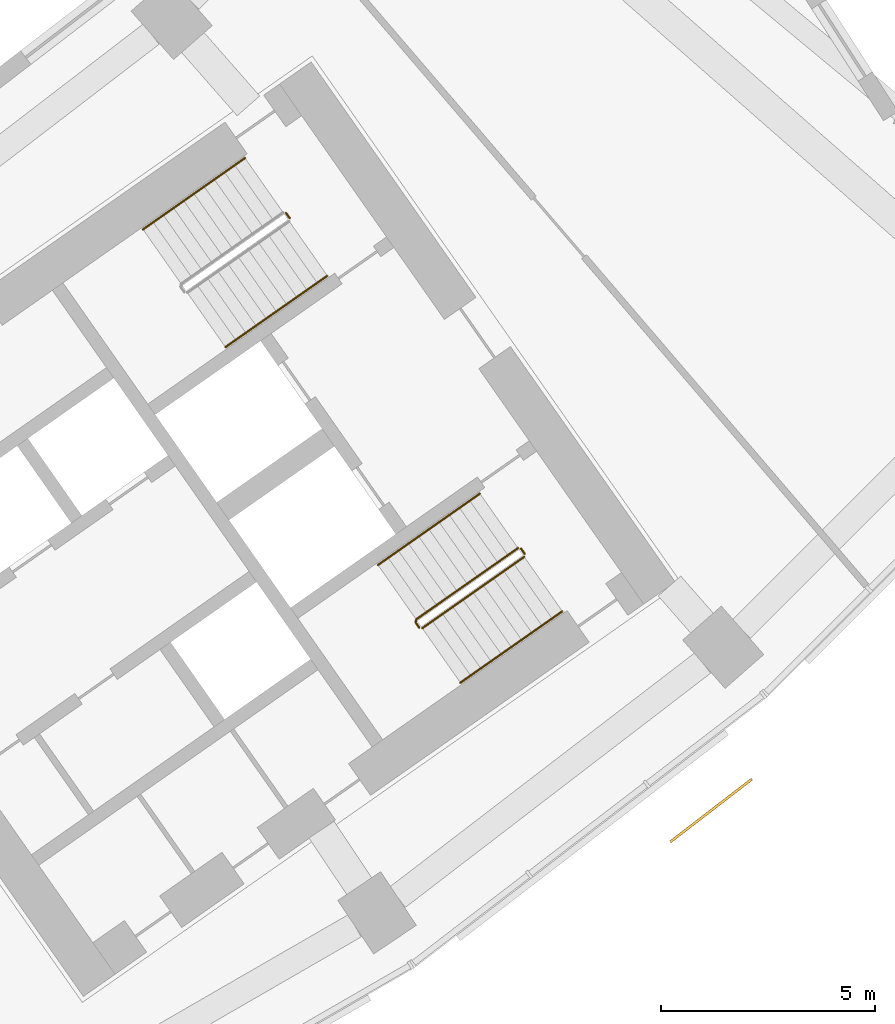
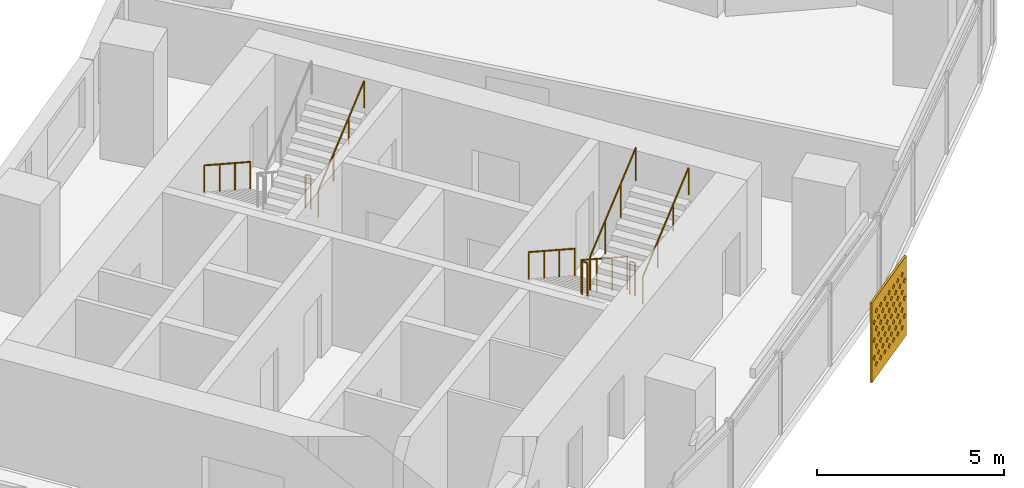
# One storey, part 29 of 29: 8 railings, 1 shading device.
"""IFC4 building model written with IfcOpenShell, lengths in metres."""

import ifcopenshell
import ifcopenshell.guid

model = None  # the IFC model being written
_history = None  # IfcOwnerHistory: only IFC2X3 demands one
_inside = {}  # id of a spatial element -> (the spatial element, [elements in it])
_under = {}  # id of a project, library or spatial element -> (it, [spatial elements below it])
_declared = {}  # id of a project -> (the project, [libraries it declares])
_typed = {}  # id of a type object -> (the type object, [elements of that type])
_made_of = {}  # id of a material, layer set ... -> (it, [elements and type objects made of it])


def new_model(schema):
    """Start an empty IFC model of exactly this schema.

    Asked for "IFC4X3", IfcOpenShell would pick the latest addendum, in which some entities
    have other attributes; the version numbers below select the first issue.
    IFC2X3 requires an IfcOwnerHistory on every rooted entity: one is made here for all.
    """
    global model, _history
    if schema == "IFC4X3":
        model = ifcopenshell.file(schema_version=(4, 3, 0, 0))
    else:
        model = ifcopenshell.file(schema=schema)
    _inside.clear()
    _under.clear()
    _declared.clear()
    _typed.clear()
    _made_of.clear()
    _history = None
    if model.schema == "IFC2X3":
        org = make("IfcOrganization", Name="unknown")
        user = make(
            "IfcPersonAndOrganization",
            ThePerson=make("IfcPerson", FamilyName="unknown"),
            TheOrganization=org,
        )
        app = make(
            "IfcApplication",
            ApplicationDeveloper=org,
            Version="unknown",
            ApplicationFullName="unknown",
            ApplicationIdentifier="unknown",
        )
        _history = make(
            "IfcOwnerHistory",
            OwningUser=user,
            OwningApplication=app,
            ChangeAction="ADDED",
            CreationDate=0,
        )
    return model


def make(cls, **values):
    """One entity of the class cls with the attributes given. An attribute that is None is left unset."""
    return model.create_entity(
        cls, **{name: value for name, value in values.items() if value is not None}
    )


def rooted(cls, **values):
    """An entity with a GlobalId (a new one), such as an element, a storey or a relation."""
    return make(cls, GlobalId=ifcopenshell.guid.new(), OwnerHistory=_history, **values)


def si_unit(unit_type, name, prefix=None):
    """IfcSIUnit, for example si_unit("LENGTHUNIT", "METRE", prefix="MILLI")."""
    return make("IfcSIUnit", UnitType=unit_type, Prefix=prefix, Name=name)


def assignment(units):
    """IfcUnitAssignment: the units of a project."""
    return None if units is None else make("IfcUnitAssignment", Units=units)


def point(xyz):
    """IfcCartesianPoint."""
    return None if xyz is None else make("IfcCartesianPoint", Coordinates=xyz)


def direction(xyz):
    """IfcDirection."""
    return None if xyz is None else make("IfcDirection", DirectionRatios=xyz)


def frame(location, z_axis=None, x_axis=None):
    """IfcAxis2Placement3D, a coordinate frame: its origin and axes. An axis left out is left unset."""
    return make(
        "IfcAxis2Placement3D",
        Location=point(location),
        Axis=direction(z_axis),
        RefDirection=direction(x_axis),
    )


def frame_2d(location, x_axis=None):
    """IfcAxis2Placement2D, a coordinate frame in the plane: its origin and x axis."""
    return make(
        "IfcAxis2Placement2D", Location=point(location), RefDirection=direction(x_axis)
    )


def origin():
    """The frame at (0, 0, 0) with its axes left unset."""
    return frame((0.0, 0.0, 0.0))


def origin_2d():
    """The frame at (0, 0) in the plane with its x axis left unset."""
    return frame_2d((0.0, 0.0))


def place(relative_to, where):
    """IfcLocalPlacement: puts the frame where relative to a parent placement (None: the world)."""
    return make(
        "IfcLocalPlacement", PlacementRelTo=relative_to, RelativePlacement=where
    )


def context(
    kind, dimensions, precision=None, world=None, true_north=None, identifier=None
):
    """IfcGeometricRepresentationContext, for example the 3D "Model" context."""
    return make(
        "IfcGeometricRepresentationContext",
        ContextIdentifier=identifier,
        ContextType=kind,
        CoordinateSpaceDimension=dimensions,
        Precision=precision,
        WorldCoordinateSystem=world,
        TrueNorth=true_north,
    )


def subcontext(parent, identifier, kind, view, scale=None):
    """IfcGeometricRepresentationSubContext, for example "Body" below "Model"."""
    return make(
        "IfcGeometricRepresentationSubContext",
        ContextIdentifier=identifier,
        ContextType=kind,
        ParentContext=parent,
        TargetScale=scale,
        TargetView=view,
    )


def project(units=None, contexts=None):
    """IfcProject with its units and contexts."""
    return rooted(
        "IfcProject",
        Name="project",
        RepresentationContexts=contexts,
        UnitsInContext=assignment(units),
    )


def spatial(cls, under=None, at=None, **own):
    """A site, building, storey or space (cls), placed at a placement, below another one or the project."""
    s = rooted(cls, ObjectPlacement=at, **own)
    if under is not None:
        _under.setdefault(under.id(), (under, []))[1].append(s)
    return s


def polyline(points):
    """IfcPolyline through the points."""
    return make("IfcPolyline", Points=[point(p) for p in points])


def profile(cls, at=None, kind="AREA", **sizes):
    """A parametric profile (cls). Its sizes go by their IFC names, for example OverallWidth=200.0."""
    return make(cls, ProfileType=kind, Position=at, **sizes)


def circle(**sizes):
    """IfcCircleProfileDef."""
    return profile("IfcCircleProfileDef", **sizes)


def outline(outer, holes=None, kind="AREA"):
    """IfcArbitraryClosedProfileDef: a profile drawn as a closed curve; with holes, ...WithVoids."""
    if holes is None:
        return make("IfcArbitraryClosedProfileDef", ProfileType=kind, OuterCurve=outer)
    return make(
        "IfcArbitraryProfileDefWithVoids",
        ProfileType=kind,
        OuterCurve=outer,
        InnerCurves=holes,
    )


def extrude(swept, where, along, depth):
    """IfcExtrudedAreaSolid: the profile swept, set in the frame where, extruded along a direction by depth."""
    return make(
        "IfcExtrudedAreaSolid",
        SweptArea=swept,
        Position=where,
        ExtrudedDirection=direction(along),
        Depth=depth,
    )


def shape(context_of_items, identifier, shape_type, items):
    """IfcShapeRepresentation: the items that make up one representation, for example the "Body"."""
    return make(
        "IfcShapeRepresentation",
        ContextOfItems=context_of_items,
        RepresentationIdentifier=identifier,
        RepresentationType=shape_type,
        Items=items,
    )


def material(Name=None, Category=None):
    """IfcMaterial."""
    return make("IfcMaterial", Name=Name, Category=Category)


def material_profile(
    of_material, cross_section, Name=None, Category=None, Priority=None
):
    """IfcMaterialProfile: a cross section and its material."""
    return make(
        "IfcMaterialProfile",
        Name=Name,
        Material=of_material,
        Profile=cross_section,
        Priority=Priority,
        Category=Category,
    )


def profile_set(profiles, Name=None, composite=None):
    """IfcMaterialProfileSet."""
    return make(
        "IfcMaterialProfileSet",
        Name=Name,
        MaterialProfiles=profiles,
        CompositeProfile=composite,
    )


def made_of(thing, what):
    """Note that an element or type object is made of a material, layer set ...; save() writes the relation."""
    if what is not None:
        _made_of.setdefault(what.id(), (what, []))[1].append(thing)
    return thing


def type_object(cls, material=None, **own):
    """A type object (cls), such as IfcWallType, which elements share."""
    return made_of(rooted(cls, **own), material)


def element(
    cls,
    number,
    at=None,
    inside=None,
    cuts=None,
    type_object=None,
    material=None,
    context=None,
    identifier="Body",
    shape_type=None,
    held_by="IfcProductDefinitionShape",
    body=None,
    shapes=None,
    **own,
):
    """One element of the class cls, such as IfcWall. Its Tag is "e" and its number.

    at: its placement. inside: the storey or other place that contains it. cuts: it is an
    opening in that element (IfcRelVoidsElement). A single representation is given by context,
    identifier, shape_type and body (its items); several are given by shapes. held_by: the class
    of the entity that holds the representations. save() writes the other relations.
    """
    e = rooted(cls, Tag="e%d" % number, ObjectPlacement=at, **own)
    if body is not None:
        shapes = [shape(context, identifier, shape_type, body)]
    if shapes is not None:
        e.Representation = make(held_by, Representations=shapes)
    if inside is not None:
        _inside.setdefault(inside.id(), (inside, []))[1].append(e)
    if cuts is not None:
        rooted(
            "IfcRelVoidsElement", RelatingBuildingElement=cuts, RelatedOpeningElement=e
        )
    if type_object is not None:
        _typed.setdefault(type_object.id(), (type_object, []))[1].append(e)
    return made_of(e, material)


def aggregate(whole, parts):
    """IfcRelAggregates: a whole, such as a stair, and the parts it consists of."""
    return rooted("IfcRelAggregates", RelatingObject=whole, RelatedObjects=parts)


def save(model, path):
    """Write the relations noted so far, then the file.

    IfcRelAggregates (storeys below a building ...), IfcRelContainedInSpatialStructure (elements
    in a storey), IfcRelDefinesByType, IfcRelAssociatesMaterial and IfcRelDeclares: one each for
    every whole, place, type object, material and project.
    """
    for whole, parts in _under.values():
        aggregate(whole, parts)
    for where, things in _inside.values():
        rooted(
            "IfcRelContainedInSpatialStructure",
            RelatedElements=things,
            RelatingStructure=where,
        )
    for kind, things in _typed.values():
        rooted("IfcRelDefinesByType", RelatedObjects=things, RelatingType=kind)
    for what, things in _made_of.values():
        rooted("IfcRelAssociatesMaterial", RelatedObjects=things, RelatingMaterial=what)
    for by, libraries in _declared.values():
        rooted("IfcRelDeclares", RelatingContext=by, RelatedDefinitions=libraries)
    model.write(path)


model = new_model("IFC4")

# Units and contexts
model_context = context("Model", 3, precision=1e-05, world=origin(), true_north=direction((0.0, 1.0)))
body_context = subcontext(model_context, "Body", "Model", "MODEL_VIEW")
ifc_project = project(units=[si_unit("LENGTHUNIT", "METRE"), si_unit("AREAUNIT", "SQUARE_METRE"), si_unit("VOLUMEUNIT", "CUBIC_METRE"), si_unit("PLANEANGLEUNIT", "RADIAN"), si_unit("MASSUNIT", "GRAM", prefix="KILO")], contexts=[model_context])

# Site, building, storey
site_placement = place(None, origin())
site = spatial("IfcSite", under=ifc_project, at=site_placement, CompositionType="ELEMENT")
building_placement = place(site_placement, origin())
building = spatial("IfcBuilding", under=site, at=building_placement, Name="Qamariyya Broadcast Tower", CompositionType="ELEMENT")
storey_placement = place(building_placement, frame((0.0, 0.0, 106.300048828125)))
storey = spatial("IfcBuildingStorey", under=building, at=storey_placement, Name="L23", CompositionType="ELEMENT", Elevation=106.300048828125)

# Shading device
ifc_material_1 = material(Name="Perforated glazed terracotta", Category="masonry")
ifc_material_profile = material_profile(ifc_material_1, outline(polyline([(-1.199951171875, -1.300048828125), (1.199951171875, -1.300048828125), (1.199951171875, 1.300048828125), (-1.199951171875, 1.300048828125), (-1.199951171875, -1.300048828125)]), holes=[polyline([(-0.81494140625, -0.86669921875), (-0.89990234375, -0.78173828125), (-0.985107421875, -0.86669921875), (-0.89990234375, -0.95166015625), (-0.81494140625, -0.86669921875)]), polyline([(-0.514892578125, -0.86669921875), (-0.60009765625, -0.78173828125), (-0.68505859375, -0.86669921875), (-0.60009765625, -0.95166015625), (-0.514892578125, -0.86669921875)]), polyline([(-0.215087890625, -0.86669921875), (-0.300048828125, -0.78173828125), (-0.385009765625, -0.86669921875), (-0.300048828125, -0.95166015625), (-0.215087890625, -0.86669921875)]), polyline([(0.0849609375, -0.86669921875), (0.0, -0.78173828125), (-0.0849609375, -0.86669921875), (0.0, -0.95166015625), (0.0849609375, -0.86669921875)]), polyline([(0.385009765625, -0.86669921875), (0.300048828125, -0.78173828125), (0.215087890625, -0.86669921875), (0.300048828125, -0.95166015625), (0.385009765625, -0.86669921875)]), polyline([(0.68505859375, -0.86669921875), (0.60009765625, -0.78173828125), (0.514892578125, -0.86669921875), (0.60009765625, -0.95166015625), (0.68505859375, -0.86669921875)]), polyline([(0.985107421875, -0.86669921875), (0.89990234375, -0.78173828125), (0.81494140625, -0.86669921875), (0.89990234375, -0.95166015625), (0.985107421875, -0.86669921875)]), polyline([(-0.965087890625, -0.577880859375), (-1.050048828125, -0.49267578125), (-1.135009765625, -0.577880859375), (-1.050048828125, -0.662841796875), (-0.965087890625, -0.577880859375)]), polyline([(-0.6650390625, -0.577880859375), (-0.75, -0.49267578125), (-0.8349609375, -0.577880859375), (-0.75, -0.662841796875), (-0.6650390625, -0.577880859375)]), polyline([(-0.364990234375, -0.577880859375), (-0.449951171875, -0.49267578125), (-0.534912109375, -0.577880859375), (-0.449951171875, -0.662841796875), (-0.364990234375, -0.577880859375)]), polyline([(-0.06494140625, -0.577880859375), (-0.14990234375, -0.49267578125), (-0.235107421875, -0.577880859375), (-0.14990234375, -0.662841796875), (-0.06494140625, -0.577880859375)]), polyline([(0.235107421875, -0.577880859375), (0.14990234375, -0.49267578125), (0.06494140625, -0.577880859375), (0.14990234375, -0.662841796875), (0.235107421875, -0.577880859375)]), polyline([(0.534912109375, -0.577880859375), (0.449951171875, -0.49267578125), (0.364990234375, -0.577880859375), (0.449951171875, -0.662841796875), (0.534912109375, -0.577880859375)]), polyline([(0.8349609375, -0.577880859375), (0.75, -0.49267578125), (0.6650390625, -0.577880859375), (0.75, -0.662841796875), (0.8349609375, -0.577880859375)]), polyline([(1.135009765625, -0.577880859375), (1.050048828125, -0.49267578125), (0.965087890625, -0.577880859375), (1.050048828125, -0.662841796875), (1.135009765625, -0.577880859375)]), polyline([(-0.81494140625, -0.288818359375), (-0.89990234375, -0.203857421875), (-0.985107421875, -0.288818359375), (-0.89990234375, -0.373779296875), (-0.81494140625, -0.288818359375)]), polyline([(-0.514892578125, -0.288818359375), (-0.60009765625, -0.203857421875), (-0.68505859375, -0.288818359375), (-0.60009765625, -0.373779296875), (-0.514892578125, -0.288818359375)]), polyline([(-0.215087890625, -0.288818359375), (-0.300048828125, -0.203857421875), (-0.385009765625, -0.288818359375), (-0.300048828125, -0.373779296875), (-0.215087890625, -0.288818359375)]), polyline([(0.0849609375, -0.288818359375), (0.0, -0.203857421875), (-0.0849609375, -0.288818359375), (0.0, -0.373779296875), (0.0849609375, -0.288818359375)]), polyline([(0.385009765625, -0.288818359375), (0.300048828125, -0.203857421875), (0.215087890625, -0.288818359375), (0.300048828125, -0.373779296875), (0.385009765625, -0.288818359375)]), polyline([(0.68505859375, -0.288818359375), (0.60009765625, -0.203857421875), (0.514892578125, -0.288818359375), (0.60009765625, -0.373779296875), (0.68505859375, -0.288818359375)]), polyline([(0.985107421875, -0.288818359375), (0.89990234375, -0.203857421875), (0.81494140625, -0.288818359375), (0.89990234375, -0.373779296875), (0.985107421875, -0.288818359375)]), polyline([(-0.965087890625, 0.0), (-1.050048828125, 0.0849609375), (-1.135009765625, 0.0), (-1.050048828125, -0.0849609375), (-0.965087890625, 0.0)]), polyline([(-0.6650390625, 0.0), (-0.75, 0.0849609375), (-0.8349609375, 0.0), (-0.75, -0.0849609375), (-0.6650390625, 0.0)]), polyline([(-0.364990234375, 0.0), (-0.449951171875, 0.0849609375), (-0.534912109375, 0.0), (-0.449951171875, -0.0849609375), (-0.364990234375, 0.0)]), polyline([(-0.06494140625, 0.0), (-0.14990234375, 0.0849609375), (-0.235107421875, 0.0), (-0.14990234375, -0.0849609375), (-0.06494140625, 0.0)]), polyline([(0.235107421875, 0.0), (0.14990234375, 0.0849609375), (0.06494140625, 0.0), (0.14990234375, -0.0849609375), (0.235107421875, 0.0)]), polyline([(0.534912109375, 0.0), (0.449951171875, 0.0849609375), (0.364990234375, 0.0), (0.449951171875, -0.0849609375), (0.534912109375, 0.0)]), polyline([(0.8349609375, 0.0), (0.75, 0.0849609375), (0.6650390625, 0.0), (0.75, -0.0849609375), (0.8349609375, 0.0)]), polyline([(1.135009765625, 0.0), (1.050048828125, 0.0849609375), (0.965087890625, 0.0), (1.050048828125, -0.0849609375), (1.135009765625, 0.0)]), polyline([(-0.81494140625, 0.288818359375), (-0.89990234375, 0.373779296875), (-0.985107421875, 0.288818359375), (-0.89990234375, 0.203857421875), (-0.81494140625, 0.288818359375)]), polyline([(-0.514892578125, 0.288818359375), (-0.60009765625, 0.373779296875), (-0.68505859375, 0.288818359375), (-0.60009765625, 0.203857421875), (-0.514892578125, 0.288818359375)]), polyline([(-0.215087890625, 0.288818359375), (-0.300048828125, 0.373779296875), (-0.385009765625, 0.288818359375), (-0.300048828125, 0.203857421875), (-0.215087890625, 0.288818359375)]), polyline([(0.0849609375, 0.288818359375), (0.0, 0.373779296875), (-0.0849609375, 0.288818359375), (0.0, 0.203857421875), (0.0849609375, 0.288818359375)]), polyline([(0.385009765625, 0.288818359375), (0.300048828125, 0.373779296875), (0.215087890625, 0.288818359375), (0.300048828125, 0.203857421875), (0.385009765625, 0.288818359375)]), polyline([(0.68505859375, 0.288818359375), (0.60009765625, 0.373779296875), (0.514892578125, 0.288818359375), (0.60009765625, 0.203857421875), (0.68505859375, 0.288818359375)]), polyline([(0.985107421875, 0.288818359375), (0.89990234375, 0.373779296875), (0.81494140625, 0.288818359375), (0.89990234375, 0.203857421875), (0.985107421875, 0.288818359375)]), polyline([(-0.965087890625, 0.577880859375), (-1.050048828125, 0.662841796875), (-1.135009765625, 0.577880859375), (-1.050048828125, 0.49267578125), (-0.965087890625, 0.577880859375)]), polyline([(-0.6650390625, 0.577880859375), (-0.75, 0.662841796875), (-0.8349609375, 0.577880859375), (-0.75, 0.49267578125), (-0.6650390625, 0.577880859375)]), polyline([(-0.364990234375, 0.577880859375), (-0.449951171875, 0.662841796875), (-0.534912109375, 0.577880859375), (-0.449951171875, 0.49267578125), (-0.364990234375, 0.577880859375)]), polyline([(-0.06494140625, 0.577880859375), (-0.14990234375, 0.662841796875), (-0.235107421875, 0.577880859375), (-0.14990234375, 0.49267578125), (-0.06494140625, 0.577880859375)]), polyline([(0.235107421875, 0.577880859375), (0.14990234375, 0.662841796875), (0.06494140625, 0.577880859375), (0.14990234375, 0.49267578125), (0.235107421875, 0.577880859375)]), polyline([(0.534912109375, 0.577880859375), (0.449951171875, 0.662841796875), (0.364990234375, 0.577880859375), (0.449951171875, 0.49267578125), (0.534912109375, 0.577880859375)]), polyline([(0.8349609375, 0.577880859375), (0.75, 0.662841796875), (0.6650390625, 0.577880859375), (0.75, 0.49267578125), (0.8349609375, 0.577880859375)]), polyline([(1.135009765625, 0.577880859375), (1.050048828125, 0.662841796875), (0.965087890625, 0.577880859375), (1.050048828125, 0.49267578125), (1.135009765625, 0.577880859375)]), polyline([(-0.81494140625, 0.86669921875), (-0.89990234375, 0.95166015625), (-0.985107421875, 0.86669921875), (-0.89990234375, 0.78173828125), (-0.81494140625, 0.86669921875)]), polyline([(-0.514892578125, 0.86669921875), (-0.60009765625, 0.95166015625), (-0.68505859375, 0.86669921875), (-0.60009765625, 0.78173828125), (-0.514892578125, 0.86669921875)]), polyline([(-0.215087890625, 0.86669921875), (-0.300048828125, 0.95166015625), (-0.385009765625, 0.86669921875), (-0.300048828125, 0.78173828125), (-0.215087890625, 0.86669921875)]), polyline([(0.0849609375, 0.86669921875), (0.0, 0.95166015625), (-0.0849609375, 0.86669921875), (0.0, 0.78173828125), (0.0849609375, 0.86669921875)]), polyline([(0.385009765625, 0.86669921875), (0.300048828125, 0.95166015625), (0.215087890625, 0.86669921875), (0.300048828125, 0.78173828125), (0.385009765625, 0.86669921875)]), polyline([(0.68505859375, 0.86669921875), (0.60009765625, 0.95166015625), (0.514892578125, 0.86669921875), (0.60009765625, 0.78173828125), (0.68505859375, 0.86669921875)]), polyline([(0.985107421875, 0.86669921875), (0.89990234375, 0.95166015625), (0.81494140625, 0.86669921875), (0.89990234375, 0.78173828125), (0.985107421875, 0.86669921875)])]))
ifc_profile_set = profile_set([ifc_material_profile], Name="Perforated glazed terracotta")
shading_device_type = type_object("IfcShadingDeviceType", Name="Perforated terracotta screen 2400 x 2600", PredefinedType="USERDEFINED", material=ifc_profile_set)
shading_device_placement = place(storey_placement, frame((50.96484375, -62.235595703125, 1.349853515625), z_axis=(0.60971076085, -0.792623989105, 0.0), x_axis=(0.792623989105, 0.60971076085, 0.0)))
element("IfcShadingDevice", 1, at=shading_device_placement, inside=storey, type_object=shading_device_type, Name="e-scr-L23-14-2", ObjectType="SCREEN", PredefinedType="USERDEFINED", context=body_context, shape_type="SweptSolid", body=[
    extrude(outline(polyline([(-1.199951171875, -1.300048828125), (1.199951171875, -1.300048828125), (1.199951171875, 1.300048828125), (-1.199951171875, 1.300048828125), (-1.199951171875, -1.300048828125)]), holes=[polyline([(-0.81494140625, -0.86669921875), (-0.89990234375, -0.78173828125), (-0.985107421875, -0.86669921875), (-0.89990234375, -0.95166015625), (-0.81494140625, -0.86669921875)]), polyline([(-0.514892578125, -0.86669921875), (-0.60009765625, -0.78173828125), (-0.68505859375, -0.86669921875), (-0.60009765625, -0.95166015625), (-0.514892578125, -0.86669921875)]), polyline([(-0.215087890625, -0.86669921875), (-0.300048828125, -0.78173828125), (-0.385009765625, -0.86669921875), (-0.300048828125, -0.95166015625), (-0.215087890625, -0.86669921875)]), polyline([(0.0849609375, -0.86669921875), (0.0, -0.78173828125), (-0.0849609375, -0.86669921875), (0.0, -0.95166015625), (0.0849609375, -0.86669921875)]), polyline([(0.385009765625, -0.86669921875), (0.300048828125, -0.78173828125), (0.215087890625, -0.86669921875), (0.300048828125, -0.95166015625), (0.385009765625, -0.86669921875)]), polyline([(0.68505859375, -0.86669921875), (0.60009765625, -0.78173828125), (0.514892578125, -0.86669921875), (0.60009765625, -0.95166015625), (0.68505859375, -0.86669921875)]), polyline([(0.985107421875, -0.86669921875), (0.89990234375, -0.78173828125), (0.81494140625, -0.86669921875), (0.89990234375, -0.95166015625), (0.985107421875, -0.86669921875)]), polyline([(-0.965087890625, -0.577880859375), (-1.050048828125, -0.49267578125), (-1.135009765625, -0.577880859375), (-1.050048828125, -0.662841796875), (-0.965087890625, -0.577880859375)]), polyline([(-0.6650390625, -0.577880859375), (-0.75, -0.49267578125), (-0.8349609375, -0.577880859375), (-0.75, -0.662841796875), (-0.6650390625, -0.577880859375)]), polyline([(-0.364990234375, -0.577880859375), (-0.449951171875, -0.49267578125), (-0.534912109375, -0.577880859375), (-0.449951171875, -0.662841796875), (-0.364990234375, -0.577880859375)]), polyline([(-0.06494140625, -0.577880859375), (-0.14990234375, -0.49267578125), (-0.235107421875, -0.577880859375), (-0.14990234375, -0.662841796875), (-0.06494140625, -0.577880859375)]), polyline([(0.235107421875, -0.577880859375), (0.14990234375, -0.49267578125), (0.06494140625, -0.577880859375), (0.14990234375, -0.662841796875), (0.235107421875, -0.577880859375)]), polyline([(0.534912109375, -0.577880859375), (0.449951171875, -0.49267578125), (0.364990234375, -0.577880859375), (0.449951171875, -0.662841796875), (0.534912109375, -0.577880859375)]), polyline([(0.8349609375, -0.577880859375), (0.75, -0.49267578125), (0.6650390625, -0.577880859375), (0.75, -0.662841796875), (0.8349609375, -0.577880859375)]), polyline([(1.135009765625, -0.577880859375), (1.050048828125, -0.49267578125), (0.965087890625, -0.577880859375), (1.050048828125, -0.662841796875), (1.135009765625, -0.577880859375)]), polyline([(-0.81494140625, -0.288818359375), (-0.89990234375, -0.203857421875), (-0.985107421875, -0.288818359375), (-0.89990234375, -0.373779296875), (-0.81494140625, -0.288818359375)]), polyline([(-0.514892578125, -0.288818359375), (-0.60009765625, -0.203857421875), (-0.68505859375, -0.288818359375), (-0.60009765625, -0.373779296875), (-0.514892578125, -0.288818359375)]), polyline([(-0.215087890625, -0.288818359375), (-0.300048828125, -0.203857421875), (-0.385009765625, -0.288818359375), (-0.300048828125, -0.373779296875), (-0.215087890625, -0.288818359375)]), polyline([(0.0849609375, -0.288818359375), (0.0, -0.203857421875), (-0.0849609375, -0.288818359375), (0.0, -0.373779296875), (0.0849609375, -0.288818359375)]), polyline([(0.385009765625, -0.288818359375), (0.300048828125, -0.203857421875), (0.215087890625, -0.288818359375), (0.300048828125, -0.373779296875), (0.385009765625, -0.288818359375)]), polyline([(0.68505859375, -0.288818359375), (0.60009765625, -0.203857421875), (0.514892578125, -0.288818359375), (0.60009765625, -0.373779296875), (0.68505859375, -0.288818359375)]), polyline([(0.985107421875, -0.288818359375), (0.89990234375, -0.203857421875), (0.81494140625, -0.288818359375), (0.89990234375, -0.373779296875), (0.985107421875, -0.288818359375)]), polyline([(-0.965087890625, 0.0), (-1.050048828125, 0.0849609375), (-1.135009765625, 0.0), (-1.050048828125, -0.0849609375), (-0.965087890625, 0.0)]), polyline([(-0.6650390625, 0.0), (-0.75, 0.0849609375), (-0.8349609375, 0.0), (-0.75, -0.0849609375), (-0.6650390625, 0.0)]), polyline([(-0.364990234375, 0.0), (-0.449951171875, 0.0849609375), (-0.534912109375, 0.0), (-0.449951171875, -0.0849609375), (-0.364990234375, 0.0)]), polyline([(-0.06494140625, 0.0), (-0.14990234375, 0.0849609375), (-0.235107421875, 0.0), (-0.14990234375, -0.0849609375), (-0.06494140625, 0.0)]), polyline([(0.235107421875, 0.0), (0.14990234375, 0.0849609375), (0.06494140625, 0.0), (0.14990234375, -0.0849609375), (0.235107421875, 0.0)]), polyline([(0.534912109375, 0.0), (0.449951171875, 0.0849609375), (0.364990234375, 0.0), (0.449951171875, -0.0849609375), (0.534912109375, 0.0)]), polyline([(0.8349609375, 0.0), (0.75, 0.0849609375), (0.6650390625, 0.0), (0.75, -0.0849609375), (0.8349609375, 0.0)]), polyline([(1.135009765625, 0.0), (1.050048828125, 0.0849609375), (0.965087890625, 0.0), (1.050048828125, -0.0849609375), (1.135009765625, 0.0)]), polyline([(-0.81494140625, 0.288818359375), (-0.89990234375, 0.373779296875), (-0.985107421875, 0.288818359375), (-0.89990234375, 0.203857421875), (-0.81494140625, 0.288818359375)]), polyline([(-0.514892578125, 0.288818359375), (-0.60009765625, 0.373779296875), (-0.68505859375, 0.288818359375), (-0.60009765625, 0.203857421875), (-0.514892578125, 0.288818359375)]), polyline([(-0.215087890625, 0.288818359375), (-0.300048828125, 0.373779296875), (-0.385009765625, 0.288818359375), (-0.300048828125, 0.203857421875), (-0.215087890625, 0.288818359375)]), polyline([(0.0849609375, 0.288818359375), (0.0, 0.373779296875), (-0.0849609375, 0.288818359375), (0.0, 0.203857421875), (0.0849609375, 0.288818359375)]), polyline([(0.385009765625, 0.288818359375), (0.300048828125, 0.373779296875), (0.215087890625, 0.288818359375), (0.300048828125, 0.203857421875), (0.385009765625, 0.288818359375)]), polyline([(0.68505859375, 0.288818359375), (0.60009765625, 0.373779296875), (0.514892578125, 0.288818359375), (0.60009765625, 0.203857421875), (0.68505859375, 0.288818359375)]), polyline([(0.985107421875, 0.288818359375), (0.89990234375, 0.373779296875), (0.81494140625, 0.288818359375), (0.89990234375, 0.203857421875), (0.985107421875, 0.288818359375)]), polyline([(-0.965087890625, 0.577880859375), (-1.050048828125, 0.662841796875), (-1.135009765625, 0.577880859375), (-1.050048828125, 0.49267578125), (-0.965087890625, 0.577880859375)]), polyline([(-0.6650390625, 0.577880859375), (-0.75, 0.662841796875), (-0.8349609375, 0.577880859375), (-0.75, 0.49267578125), (-0.6650390625, 0.577880859375)]), polyline([(-0.364990234375, 0.577880859375), (-0.449951171875, 0.662841796875), (-0.534912109375, 0.577880859375), (-0.449951171875, 0.49267578125), (-0.364990234375, 0.577880859375)]), polyline([(-0.06494140625, 0.577880859375), (-0.14990234375, 0.662841796875), (-0.235107421875, 0.577880859375), (-0.14990234375, 0.49267578125), (-0.06494140625, 0.577880859375)]), polyline([(0.235107421875, 0.577880859375), (0.14990234375, 0.662841796875), (0.06494140625, 0.577880859375), (0.14990234375, 0.49267578125), (0.235107421875, 0.577880859375)]), polyline([(0.534912109375, 0.577880859375), (0.449951171875, 0.662841796875), (0.364990234375, 0.577880859375), (0.449951171875, 0.49267578125), (0.534912109375, 0.577880859375)]), polyline([(0.8349609375, 0.577880859375), (0.75, 0.662841796875), (0.6650390625, 0.577880859375), (0.75, 0.49267578125), (0.8349609375, 0.577880859375)]), polyline([(1.135009765625, 0.577880859375), (1.050048828125, 0.662841796875), (0.965087890625, 0.577880859375), (1.050048828125, 0.49267578125), (1.135009765625, 0.577880859375)]), polyline([(-0.81494140625, 0.86669921875), (-0.89990234375, 0.95166015625), (-0.985107421875, 0.86669921875), (-0.89990234375, 0.78173828125), (-0.81494140625, 0.86669921875)]), polyline([(-0.514892578125, 0.86669921875), (-0.60009765625, 0.95166015625), (-0.68505859375, 0.86669921875), (-0.60009765625, 0.78173828125), (-0.514892578125, 0.86669921875)]), polyline([(-0.215087890625, 0.86669921875), (-0.300048828125, 0.95166015625), (-0.385009765625, 0.86669921875), (-0.300048828125, 0.78173828125), (-0.215087890625, 0.86669921875)]), polyline([(0.0849609375, 0.86669921875), (0.0, 0.95166015625), (-0.0849609375, 0.86669921875), (0.0, 0.78173828125), (0.0849609375, 0.86669921875)]), polyline([(0.385009765625, 0.86669921875), (0.300048828125, 0.95166015625), (0.215087890625, 0.86669921875), (0.300048828125, 0.78173828125), (0.385009765625, 0.86669921875)]), polyline([(0.68505859375, 0.86669921875), (0.60009765625, 0.95166015625), (0.514892578125, 0.86669921875), (0.60009765625, 0.78173828125), (0.68505859375, 0.86669921875)]), polyline([(0.985107421875, 0.86669921875), (0.89990234375, 0.95166015625), (0.81494140625, 0.86669921875), (0.89990234375, 0.78173828125), (0.985107421875, 0.86669921875)])]), origin(), (0.0, 0.0, 1.0), 0.06005859375),
])

# Railings
ifc_material_2 = material(Name="Painted steel", Category="steel")
railing_type_1 = type_object("IfcRailingType", Name="Stair guard", PredefinedType="GUARDRAIL", material=ifc_material_2)
railing_1_placement = place(storey_placement, frame((41.072998046875, -48.332275390625, 0.0)))
element("IfcRailing", 2, at=railing_1_placement, inside=storey, type_object=railing_type_1, Name="L23 ST-E2 stair guard 3", PredefinedType="GUARDRAIL", context=body_context, shape_type="SweptSolid", body=[
    extrude(circle(Radius=0.02392578125, at=origin_2d()), frame((0.0, 0.0, 1.076171875), z_axis=(0.572588637393, -0.819842821722, 0.0), x_axis=(0.819842821722, 0.572588637393, 0.0)), (0.0, 0.0, 1.0), 0.150146484375),
    extrude(circle(Radius=0.02099609375, at=origin_2d()), origin(), (0.0, 0.0, 1.0), 1.052001953125),
    extrude(circle(Radius=0.02099609375, at=origin_2d()), frame((0.0859375, -0.123046875, 0.0)), (0.0, 0.0, 1.0), 1.052001953125),
])
railing_2_placement = place(storey_placement, frame((46.48095703125, -56.14306640625, 0.172607421875)))
element("IfcRailing", 3, at=railing_2_placement, inside=storey, type_object=railing_type_1, Name="L23 ST-E1 stair guard 1", PredefinedType="GUARDRAIL", context=body_context, shape_type="SweptSolid", body=[
    extrude(circle(Radius=0.02392578125, at=origin_2d()), frame((0.0, 0.0, 1.076171875), z_axis=(-0.703770094002, -0.492783725636, 0.511734163933), x_axis=(0.573575343427, -0.819152809562, 0.0)), (0.0, 0.0, 1.0), 3.37548828125),
    extrude(circle(Radius=0.02392578125, at=origin_2d()), frame((-2.37548828125, -1.663330078125, 2.80322265625), z_axis=(-0.176149252506, -0.984363469884, 0.0), x_axis=(0.984363469884, -0.176149252506, 0.0)), (0.0, 0.0, 1.0), 0.07080078125),
    extrude(circle(Radius=0.02392578125, at=origin_2d()), frame((-2.387939453125, -1.73291015625, 2.80322265625), z_axis=(0.574444878118, -0.818543268254, 0.0), x_axis=(0.818543268254, 0.574444878118, 0.0)), (0.0, 0.0, 1.0), 0.150146484375),
    extrude(circle(Radius=0.02099609375, at=origin_2d()), origin(), (0.0, 0.0, 1.0), 1.052001953125),
    extrude(circle(Radius=0.02099609375, at=origin_2d()), frame((-0.791748046875, -0.554443359375, 0.57568359375)), (0.0, 0.0, 1.0), 1.052001953125),
    extrude(circle(Radius=0.02099609375, at=origin_2d()), frame((-1.583740234375, -1.10888671875, 1.151611328125)), (0.0, 0.0, 1.0), 1.052001953125),
    extrude(circle(Radius=0.02099609375, at=origin_2d()), frame((-2.37548828125, -1.663330078125, 1.727294921875)), (0.0, 0.0, 1.0), 1.052001953125),
    extrude(circle(Radius=0.02099609375, at=origin_2d()), frame((-2.387939453125, -1.73291015625, 1.727294921875)), (0.0, 0.0, 1.0), 1.052001953125),
    extrude(circle(Radius=0.02099609375, at=origin_2d()), frame((-2.3017578125, -1.855712890625, 1.727294921875)), (0.0, 0.0, 1.0), 1.052001953125),
])
railing_3_placement = place(storey_placement, frame((44.248779296875, -58.01123046875, 2.07275390625)))
element("IfcRailing", 4, at=railing_3_placement, inside=storey, type_object=railing_type_1, Name="L23 ST-E1 stair guard 2", PredefinedType="GUARDRAIL", context=body_context, shape_type="SweptSolid", body=[
    extrude(circle(Radius=0.02392578125, at=origin_2d()), frame((0.0, 0.0, 1.076171875), z_axis=(0.703745009021, 0.492838488332, 0.511715923826), x_axis=(-0.573631830683, 0.819113253969, 0.0)), (0.0, 0.0, 1.0), 3.37548828125),
    extrude(circle(Radius=0.02099609375, at=origin_2d()), origin(), (0.0, 0.0, 1.0), 1.052001953125),
    extrude(circle(Radius=0.02099609375, at=origin_2d()), frame((0.791748046875, 0.554443359375, 0.57568359375)), (0.0, 0.0, 1.0), 1.052001953125),
    extrude(circle(Radius=0.02099609375, at=origin_2d()), frame((1.583740234375, 1.109130859375, 1.151611328125)), (0.0, 0.0, 1.0), 1.052001953125),
    extrude(circle(Radius=0.02099609375, at=origin_2d()), frame((2.37548828125, 1.66357421875, 1.727294921875)), (0.0, 0.0, 1.0), 1.052001953125),
])
railing_4_placement = place(storey_placement, frame((46.550537109375, -56.1552734375, 0.0)))
element("IfcRailing", 5, at=railing_4_placement, inside=storey, type_object=railing_type_1, Name="L23 ST-E1 stair guard 3", PredefinedType="GUARDRAIL", context=body_context, shape_type="SweptSolid", body=[
    extrude(circle(Radius=0.02392578125, at=origin_2d()), frame((0.0, 0.0, 1.076171875), z_axis=(0.574444878118, -0.818543268254, 0.0), x_axis=(0.818543268254, 0.574444878118, 0.0)), (0.0, 0.0, 1.0), 0.150146484375),
    extrude(circle(Radius=0.02099609375, at=origin_2d()), origin(), (0.0, 0.0, 1.0), 1.052001953125),
    extrude(circle(Radius=0.02099609375, at=origin_2d()), frame((0.086181640625, -0.122802734375, 0.0)), (0.0, 0.0, 1.0), 1.052001953125),
])
ifc_material_3 = material(Name="Stainless steel", Category="steel")
railing_type_2 = type_object("IfcRailingType", Name="Stair handrail", PredefinedType="HANDRAIL", material=ifc_material_3)
railing_5_placement = place(storey_placement, frame((40.1142578125, -47.05029296875, 0.172607421875)))
element("IfcRailing", 6, at=railing_5_placement, inside=storey, type_object=railing_type_2, Name="L23 ST-E2 stair handrail 1", PredefinedType="HANDRAIL", context=body_context, shape_type="SweptSolid", body=[
    extrude(circle(Radius=0.02392578125, at=origin_2d()), frame((0.0, 0.0, 0.8759765625), z_axis=(-0.703745009021, -0.492838488332, 0.511715923826), x_axis=(0.573631830683, -0.819113253969, 0.0)), (0.0, 0.0, 1.0), 3.37548828125),
    extrude(circle(Radius=0.02099609375, at=origin_2d()), origin(), (0.0, 0.0, 1.0), 0.851806640625),
    extrude(circle(Radius=0.02099609375, at=origin_2d()), frame((-0.791748046875, -0.554443359375, 0.57568359375)), (0.0, 0.0, 1.0), 0.851806640625),
    extrude(circle(Radius=0.02099609375, at=origin_2d()), frame((-1.583740234375, -1.109130859375, 1.151611328125)), (0.0, 0.0, 1.0), 0.851806640625),
    extrude(circle(Radius=0.02099609375, at=origin_2d()), frame((-2.37548828125, -1.66357421875, 1.727294921875)), (0.0, 0.0, 1.0), 0.851806640625),
])
railing_6_placement = place(storey_placement, frame((39.66015625, -51.4580078125, 2.07275390625)))
element("IfcRailing", 7, at=railing_6_placement, inside=storey, type_object=railing_type_2, Name="L23 ST-E2 stair handrail 2", PredefinedType="HANDRAIL", context=body_context, shape_type="SweptSolid", body=[
    extrude(circle(Radius=0.02392578125, at=origin_2d()), frame((0.0, 0.0, 0.8759765625), z_axis=(0.703745009021, 0.492838488332, 0.511715923826), x_axis=(-0.573631830683, 0.819113253969, 0.0)), (0.0, 0.0, 1.0), 3.37548828125),
    extrude(circle(Radius=0.02099609375, at=origin_2d()), origin(), (0.0, 0.0, 1.0), 0.851806640625),
    extrude(circle(Radius=0.02099609375, at=origin_2d()), frame((0.791748046875, 0.554443359375, 0.57568359375)), (0.0, 0.0, 1.0), 0.851806640625),
    extrude(circle(Radius=0.02099609375, at=origin_2d()), frame((1.583740234375, 1.109130859375, 1.151611328125)), (0.0, 0.0, 1.0), 0.851806640625),
    extrude(circle(Radius=0.02099609375, at=origin_2d()), frame((2.37548828125, 1.66357421875, 1.727294921875)), (0.0, 0.0, 1.0), 0.851806640625),
])
railing_7_placement = place(storey_placement, frame((45.591796875, -54.873291015625, 0.172607421875)))
element("IfcRailing", 8, at=railing_7_placement, inside=storey, type_object=railing_type_2, Name="L23 ST-E1 stair handrail 1", PredefinedType="HANDRAIL", context=body_context, shape_type="SweptSolid", body=[
    extrude(circle(Radius=0.02392578125, at=origin_2d()), frame((0.0, 0.0, 0.8759765625), z_axis=(-0.703770094002, -0.492783725636, 0.511734163933), x_axis=(0.573575343427, -0.819152809562, 0.0)), (0.0, 0.0, 1.0), 3.37548828125),
    extrude(circle(Radius=0.02099609375, at=origin_2d()), origin(), (0.0, 0.0, 1.0), 0.851806640625),
    extrude(circle(Radius=0.02099609375, at=origin_2d()), frame((-0.791748046875, -0.554443359375, 0.57568359375)), (0.0, 0.0, 1.0), 0.851806640625),
    extrude(circle(Radius=0.02099609375, at=origin_2d()), frame((-1.583740234375, -1.10888671875, 1.151611328125)), (0.0, 0.0, 1.0), 0.851806640625),
    extrude(circle(Radius=0.02099609375, at=origin_2d()), frame((-2.37548828125, -1.663330078125, 1.727294921875)), (0.0, 0.0, 1.0), 0.851806640625),
])
railing_8_placement = place(storey_placement, frame((45.137939453125, -59.28076171875, 2.07275390625)))
element("IfcRailing", 9, at=railing_8_placement, inside=storey, type_object=railing_type_2, Name="L23 ST-E1 stair handrail 2", PredefinedType="HANDRAIL", context=body_context, shape_type="SweptSolid", body=[
    extrude(circle(Radius=0.02392578125, at=origin_2d()), frame((0.0, 0.0, 0.8759765625), z_axis=(0.703770094002, 0.492783725636, 0.511734163933), x_axis=(-0.573575343427, 0.819152809562, 0.0)), (0.0, 0.0, 1.0), 3.37548828125),
    extrude(circle(Radius=0.02099609375, at=origin_2d()), origin(), (0.0, 0.0, 1.0), 0.851806640625),
    extrude(circle(Radius=0.02099609375, at=origin_2d()), frame((0.791748046875, 0.554443359375, 0.57568359375)), (0.0, 0.0, 1.0), 0.851806640625),
    extrude(circle(Radius=0.02099609375, at=origin_2d()), frame((1.583740234375, 1.10888671875, 1.151611328125)), (0.0, 0.0, 1.0), 0.851806640625),
    extrude(circle(Radius=0.02099609375, at=origin_2d()), frame((2.37548828125, 1.663330078125, 1.727294921875)), (0.0, 0.0, 1.0), 0.851806640625),
])

save(model, "model.ifc")
